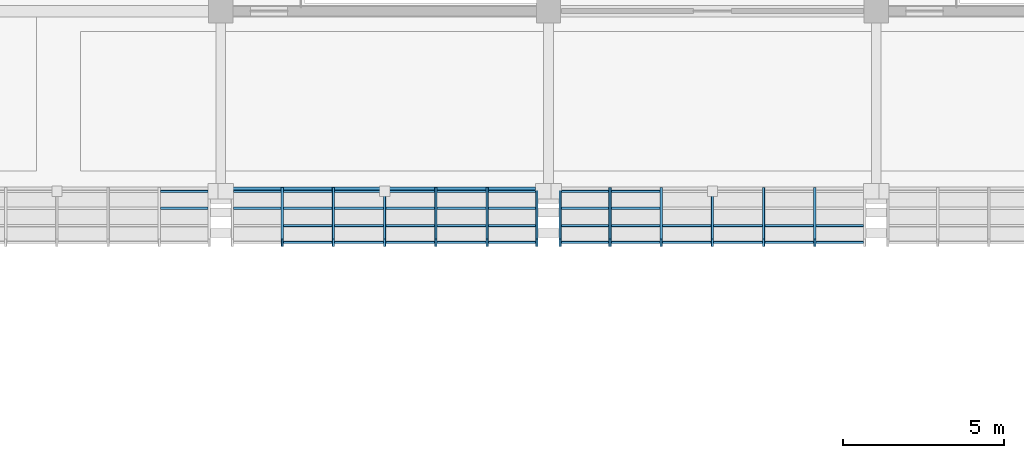
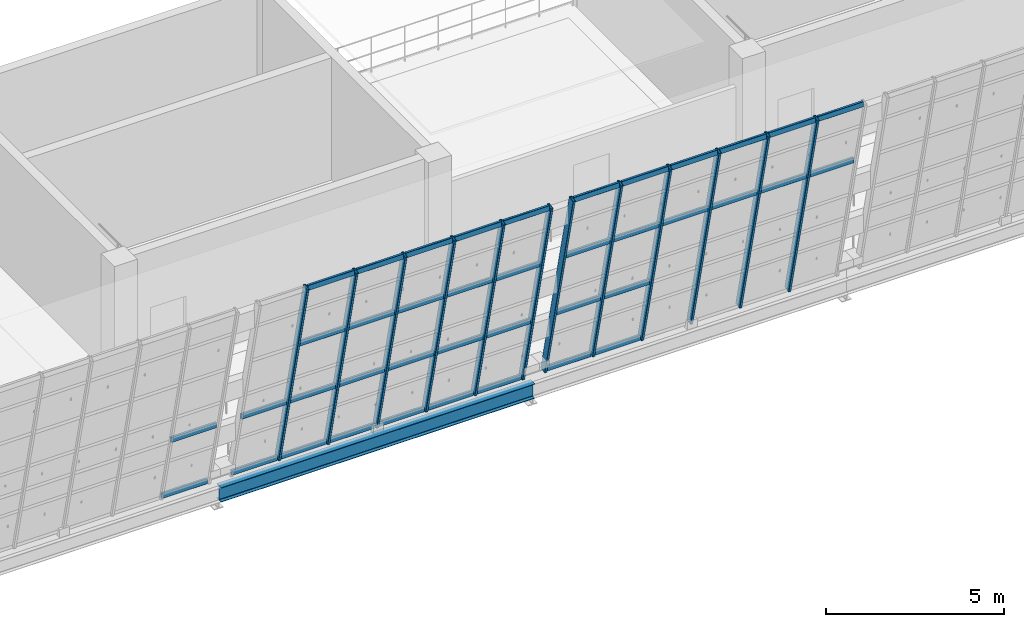
# One storey, part 24 of 157: 52 members, 1 beam, 3 elements without a shape of their own.
"""IFC4 building model written with IfcOpenShell, lengths in metres."""

from ifc_helpers import new_model, si_unit, direction, frame, origin, origin_2d, place, context, subcontext, project, spatial, hollow_rectangle, i_section, extrude, material, material_profile, profile_set, type_object, element, aggregate, save


model = new_model("IFC4")

# Units and contexts
model_context = context("Model", 3, precision=1e-05, world=origin(), true_north=direction((0.0, 1.0)))
body_context = subcontext(model_context, "Body", "Model", "MODEL_VIEW")
ifc_project = project(units=[si_unit("LENGTHUNIT", "METRE"), si_unit("AREAUNIT", "SQUARE_METRE"), si_unit("VOLUMEUNIT", "CUBIC_METRE"), si_unit("PLANEANGLEUNIT", "RADIAN"), si_unit("MASSUNIT", "GRAM", prefix="KILO")], contexts=[model_context])

# Site, building, storey
site_placement = place(None, origin())
site = spatial("IfcSite", under=ifc_project, at=site_placement, CompositionType="ELEMENT")
building_placement = place(site_placement, origin())
building = spatial("IfcBuilding", under=site, at=building_placement, Name="Brelvane Convention Centre", CompositionType="ELEMENT")
storey_placement = place(building_placement, frame((0.0, 0.0, 10.800048828125)))
storey = spatial("IfcBuildingStorey", under=building, at=storey_placement, Name="L02", CompositionType="ELEMENT", Elevation=10.800048828125)

# Curtain wall, members
ifc_material_1 = material(Name="Anodised Aluminium Alloy 6063-T6", Category="aluminium")
curtain_wall_type = type_object("IfcCurtainWallType", Name="Curtain Wall CW-HULL-S", PredefinedType="USERDEFINED", material=ifc_material_1)
curtain_wall_1_placement = place(storey_placement, origin())
curtain_wall_1 = element("IfcCurtainWall", 1, at=curtain_wall_1_placement, inside=storey, type_object=curtain_wall_type, Name="Curtain Wall CW-HULL-S L02-HULL-S-L02-04", ObjectType="UNITISED", PredefinedType="USERDEFINED")
ifc_material_2 = material(Name="Anodised Aluminium Alloy 6063-T6", Category="aluminium")
ifc_material_profile_1 = material_profile(ifc_material_2, hollow_rectangle(XDim=0.080078125, YDim=0.239990234375, WallThickness=0.006103515625, InnerFilletRadius=0.006103515625, OuterFilletRadius=0.011962890625, at=origin_2d()), Name="ALU-M 240x80x6.0")
ifc_profile_set_1 = profile_set([ifc_material_profile_1], Name="Anodised Aluminium Alloy 6063-T6")
member_type_1 = type_object("IfcMemberType", Name="Curtain Mullion CW-M1", PredefinedType="MULLION", material=ifc_profile_set_1)
member_1_placement = place(storey_placement, frame((32.513427734375, 13.60009765625, 0.0), z_axis=(0.0, -0.228360410362, 0.973576665178), x_axis=(1.0, 0.0, 0.0)))
member_1 = element("IfcMember", 2, at=member_1_placement, type_object=member_type_1, Name="CW-HULL-S mullion 2", PredefinedType="MULLION", context=body_context, shape_type="SweptSolid", body=[
    extrude(hollow_rectangle(XDim=0.080078125, YDim=0.239990234375, WallThickness=0.006103515625, InnerFilletRadius=0.006103515625, OuterFilletRadius=0.011962890625, at=origin_2d()), origin(), (0.0, 0.0, 1.0), 7.03564453125),
])
member_2_placement = place(storey_placement, frame((34.106689453125, 13.60009765625, 0.0), z_axis=(0.0, -0.228360410362, 0.973576665178), x_axis=(1.0, 0.0, 0.0)))
member_2 = element("IfcMember", 3, at=member_2_placement, type_object=member_type_1, Name="CW-HULL-S mullion 3", PredefinedType="MULLION", context=body_context, shape_type="SweptSolid", body=[
    extrude(hollow_rectangle(XDim=0.080078125, YDim=0.239990234375, WallThickness=0.006103515625, InnerFilletRadius=0.006103515625, OuterFilletRadius=0.011962890625, at=origin_2d()), origin(), (0.0, 0.0, 1.0), 7.03564453125),
])
member_3_placement = place(storey_placement, frame((35.699951171875, 13.60009765625, 0.0), z_axis=(0.0, -0.228360410362, 0.973576665178), x_axis=(1.0, 0.0, 0.0)))
member_3 = element("IfcMember", 4, at=member_3_placement, type_object=member_type_1, Name="CW-HULL-S mullion 4", PredefinedType="MULLION", context=body_context, shape_type="SweptSolid", body=[
    extrude(hollow_rectangle(XDim=0.080078125, YDim=0.239990234375, WallThickness=0.006103515625, InnerFilletRadius=0.006103515625, OuterFilletRadius=0.011962890625, at=origin_2d()), origin(), (0.0, 0.0, 1.0), 7.03564453125),
])
member_4_placement = place(storey_placement, frame((37.293212890625, 13.60009765625, 0.0), z_axis=(0.0, -0.228360410362, 0.973576665178), x_axis=(1.0, 0.0, 0.0)))
member_4 = element("IfcMember", 5, at=member_4_placement, type_object=member_type_1, Name="CW-HULL-S mullion 5", PredefinedType="MULLION", context=body_context, shape_type="SweptSolid", body=[
    extrude(hollow_rectangle(XDim=0.080078125, YDim=0.239990234375, WallThickness=0.006103515625, InnerFilletRadius=0.006103515625, OuterFilletRadius=0.011962890625, at=origin_2d()), origin(), (0.0, 0.0, 1.0), 7.03564453125),
])
member_5_placement = place(storey_placement, frame((38.88671875, 13.60009765625, 0.0), z_axis=(0.0, -0.228360410362, 0.973576665178), x_axis=(1.0, 0.0, 0.0)))
member_5 = element("IfcMember", 6, at=member_5_placement, type_object=member_type_1, Name="CW-HULL-S mullion 6", PredefinedType="MULLION", context=body_context, shape_type="SweptSolid", body=[
    extrude(hollow_rectangle(XDim=0.080078125, YDim=0.239990234375, WallThickness=0.006103515625, InnerFilletRadius=0.006103515625, OuterFilletRadius=0.011962890625, at=origin_2d()), origin(), (0.0, 0.0, 1.0), 7.03564453125),
])
member_6_placement = place(storey_placement, frame((40.43994140625, 13.60009765625, 0.0), z_axis=(0.0, -0.228360410362, 0.973576665178), x_axis=(1.0, 0.0, 0.0)))
member_6 = element("IfcMember", 7, at=member_6_placement, type_object=member_type_1, Name="CW-HULL-S mullion 7", PredefinedType="MULLION", context=body_context, shape_type="SweptSolid", body=[
    extrude(hollow_rectangle(XDim=0.080078125, YDim=0.239990234375, WallThickness=0.006103515625, InnerFilletRadius=0.006103515625, OuterFilletRadius=0.011962890625, at=origin_2d()), origin(), (0.0, 0.0, 1.0), 7.03564453125),
])

curtain_wall_2_placement = place(storey_placement, origin())
curtain_wall_2 = element("IfcCurtainWall", 8, at=curtain_wall_2_placement, inside=storey, type_object=curtain_wall_type, Name="Curtain Wall CW-HULL-S L02-HULL-S-L02-05", ObjectType="UNITISED", PredefinedType="USERDEFINED")
member_7_placement = place(storey_placement, frame((41.159912109375, 13.60009765625, 0.0), z_axis=(0.0, -0.228360410362, 0.973576665178), x_axis=(1.0, 0.0, 0.0)))
member_7 = element("IfcMember", 9, at=member_7_placement, type_object=member_type_1, Name="CW-HULL-S mullion 1", PredefinedType="MULLION", context=body_context, shape_type="SweptSolid", body=[
    extrude(hollow_rectangle(XDim=0.080078125, YDim=0.239990234375, WallThickness=0.006103515625, InnerFilletRadius=0.006103515625, OuterFilletRadius=0.011962890625, at=origin_2d()), origin(), (0.0, 0.0, 1.0), 7.03564453125),
])
member_8_placement = place(storey_placement, frame((42.71337890625, 13.60009765625, 0.0), z_axis=(0.0, -0.228360410362, 0.973576665178), x_axis=(1.0, 0.0, 0.0)))
member_8 = element("IfcMember", 10, at=member_8_placement, type_object=member_type_1, Name="CW-HULL-S mullion 2", PredefinedType="MULLION", context=body_context, shape_type="SweptSolid", body=[
    extrude(hollow_rectangle(XDim=0.080078125, YDim=0.239990234375, WallThickness=0.006103515625, InnerFilletRadius=0.006103515625, OuterFilletRadius=0.011962890625, at=origin_2d()), origin(), (0.0, 0.0, 1.0), 7.03564453125),
])
member_9_placement = place(storey_placement, frame((44.306640625, 13.60009765625, 0.0), z_axis=(0.0, -0.228360410362, 0.973576665178), x_axis=(1.0, 0.0, 0.0)))
member_9 = element("IfcMember", 11, at=member_9_placement, type_object=member_type_1, Name="CW-HULL-S mullion 3", PredefinedType="MULLION", context=body_context, shape_type="SweptSolid", body=[
    extrude(hollow_rectangle(XDim=0.080078125, YDim=0.239990234375, WallThickness=0.006103515625, InnerFilletRadius=0.006103515625, OuterFilletRadius=0.011962890625, at=origin_2d()), origin(), (0.0, 0.0, 1.0), 7.03564453125),
])
member_10_placement = place(storey_placement, frame((45.89990234375, 13.60009765625, 0.0), z_axis=(0.0, -0.228360410362, 0.973576665178), x_axis=(1.0, 0.0, 0.0)))
member_10 = element("IfcMember", 12, at=member_10_placement, type_object=member_type_1, Name="CW-HULL-S mullion 4", PredefinedType="MULLION", context=body_context, shape_type="SweptSolid", body=[
    extrude(hollow_rectangle(XDim=0.080078125, YDim=0.239990234375, WallThickness=0.006103515625, InnerFilletRadius=0.006103515625, OuterFilletRadius=0.011962890625, at=origin_2d()), origin(), (0.0, 0.0, 1.0), 7.03564453125),
])
member_11_placement = place(storey_placement, frame((47.493408203125, 13.60009765625, 0.0), z_axis=(0.0, -0.228360410362, 0.973576665178), x_axis=(1.0, 0.0, 0.0)))
member_11 = element("IfcMember", 13, at=member_11_placement, type_object=member_type_1, Name="CW-HULL-S mullion 5", PredefinedType="MULLION", context=body_context, shape_type="SweptSolid", body=[
    extrude(hollow_rectangle(XDim=0.080078125, YDim=0.239990234375, WallThickness=0.006103515625, InnerFilletRadius=0.006103515625, OuterFilletRadius=0.011962890625, at=origin_2d()), origin(), (0.0, 0.0, 1.0), 7.03564453125),
])
member_12_placement = place(storey_placement, frame((49.086669921875, 13.60009765625, 0.0), z_axis=(0.0, -0.228360410362, 0.973576665178), x_axis=(1.0, 0.0, 0.0)))
member_12 = element("IfcMember", 14, at=member_12_placement, type_object=member_type_1, Name="CW-HULL-S mullion 6", PredefinedType="MULLION", context=body_context, shape_type="SweptSolid", body=[
    extrude(hollow_rectangle(XDim=0.080078125, YDim=0.239990234375, WallThickness=0.006103515625, InnerFilletRadius=0.006103515625, OuterFilletRadius=0.011962890625, at=origin_2d()), origin(), (0.0, 0.0, 1.0), 7.03564453125),
])

curtain_wall_3_placement = place(storey_placement, origin())
curtain_wall_3 = element("IfcCurtainWall", 15, at=curtain_wall_3_placement, inside=storey, type_object=curtain_wall_type, Name="Curtain Wall CW-HULL-S L02-HULL-S-L02-03", ObjectType="UNITISED", PredefinedType="USERDEFINED")
ifc_material_3 = material(Name="Anodised Aluminium Alloy 6063-T6", Category="aluminium")
ifc_material_profile_2 = material_profile(ifc_material_3, hollow_rectangle(XDim=0.080078125, YDim=0.179931640625, WallThickness=0.0048828125, InnerFilletRadius=0.0048828125, OuterFilletRadius=0.010009765625, at=origin_2d()), Name="ALU-T 180x80x5.0")
ifc_profile_set_2 = profile_set([ifc_material_profile_2], Name="Anodised Aluminium Alloy 6063-T6")
member_type_2 = type_object("IfcMemberType", Name="Curtain Transom CW-T1", PredefinedType="USERDEFINED", material=ifc_profile_set_2)
member_13_placement = place(storey_placement, frame((28.7265625, 13.590576171875, 0.0400390625), z_axis=(1.0, 0.0, 0.0), x_axis=(0.0, 1.0, 0.0)))
member_13 = element("IfcMember", 16, at=member_13_placement, type_object=member_type_2, Name="CW-HULL-S transom 6.1", ObjectType="TRANSOM", PredefinedType="USERDEFINED", context=body_context, shape_type="SweptSolid", body=[
    extrude(hollow_rectangle(XDim=0.080078125, YDim=0.179931640625, WallThickness=0.0048828125, InnerFilletRadius=0.0048828125, OuterFilletRadius=0.010009765625, at=origin_2d()), origin(), (0.0, 0.0, 1.0), 1.473388671875),
])
member_14_placement = place(storey_placement, frame((28.7265625, 13.064453125, 2.283203125), z_axis=(1.0, 0.0, 0.0), x_axis=(0.0, 1.0, 0.0)))
member_14 = element("IfcMember", 17, at=member_14_placement, type_object=member_type_2, Name="CW-HULL-S transom 6.2", ObjectType="TRANSOM", PredefinedType="USERDEFINED", context=body_context, shape_type="SweptSolid", body=[
    extrude(hollow_rectangle(XDim=0.080078125, YDim=0.179931640625, WallThickness=0.0048828125, InnerFilletRadius=0.0048828125, OuterFilletRadius=0.010009765625, at=origin_2d()), origin(), (0.0, 0.0, 1.0), 1.473388671875),
])
aggregate(curtain_wall_3, [member_13, member_14])

# Member
member_15_placement = place(storey_placement, frame((31.0, 13.590576171875, 0.0400390625), z_axis=(1.0, 0.0, 0.0), x_axis=(0.0, 1.0, 0.0)))
member_15 = element("IfcMember", 18, at=member_15_placement, type_object=member_type_2, Name="CW-HULL-S transom 1.1", ObjectType="TRANSOM", PredefinedType="USERDEFINED", context=body_context, shape_type="SweptSolid", body=[
    extrude(hollow_rectangle(XDim=0.080078125, YDim=0.179931640625, WallThickness=0.0048828125, InnerFilletRadius=0.0048828125, OuterFilletRadius=0.010009765625, at=origin_2d()), origin(), (0.0, 0.0, 1.0), 1.473388671875),
])

member_16_placement = place(storey_placement, frame((31.0, 13.064453125, 2.283203125), z_axis=(1.0, 0.0, 0.0), x_axis=(0.0, 1.0, 0.0)))
member_16 = element("IfcMember", 19, at=member_16_placement, type_object=member_type_2, Name="CW-HULL-S transom 1.2", ObjectType="TRANSOM", PredefinedType="USERDEFINED", context=body_context, shape_type="SweptSolid", body=[
    extrude(hollow_rectangle(XDim=0.080078125, YDim=0.179931640625, WallThickness=0.0048828125, InnerFilletRadius=0.0048828125, OuterFilletRadius=0.010009765625, at=origin_2d()), origin(), (0.0, 0.0, 1.0), 1.473388671875),
])

member_17_placement = place(storey_placement, frame((32.55322265625, 13.590576171875, 0.0400390625), z_axis=(1.0, 0.0, 0.0), x_axis=(0.0, 1.0, 0.0)))
member_17 = element("IfcMember", 20, at=member_17_placement, type_object=member_type_2, Name="CW-HULL-S transom 2.1", ObjectType="TRANSOM", PredefinedType="USERDEFINED", context=body_context, shape_type="SweptSolid", body=[
    extrude(hollow_rectangle(XDim=0.080078125, YDim=0.179931640625, WallThickness=0.0048828125, InnerFilletRadius=0.0048828125, OuterFilletRadius=0.010009765625, at=origin_2d()), origin(), (0.0, 0.0, 1.0), 1.513427734375),
])

member_18_placement = place(storey_placement, frame((32.55322265625, 13.064453125, 2.283203125), z_axis=(1.0, 0.0, 0.0), x_axis=(0.0, 1.0, 0.0)))
member_18 = element("IfcMember", 21, at=member_18_placement, type_object=member_type_2, Name="CW-HULL-S transom 2.2", ObjectType="TRANSOM", PredefinedType="USERDEFINED", context=body_context, shape_type="SweptSolid", body=[
    extrude(hollow_rectangle(XDim=0.080078125, YDim=0.179931640625, WallThickness=0.0048828125, InnerFilletRadius=0.0048828125, OuterFilletRadius=0.010009765625, at=origin_2d()), origin(), (0.0, 0.0, 1.0), 1.513427734375),
])

member_19_placement = place(storey_placement, frame((32.55322265625, 12.52880859375, 4.566650390625), z_axis=(1.0, 0.0, 0.0), x_axis=(0.0, 1.0, 0.0)))
member_19 = element("IfcMember", 22, at=member_19_placement, type_object=member_type_2, Name="CW-HULL-S transom 2.3", ObjectType="TRANSOM", PredefinedType="USERDEFINED", context=body_context, shape_type="SweptSolid", body=[
    extrude(hollow_rectangle(XDim=0.080078125, YDim=0.179931640625, WallThickness=0.0048828125, InnerFilletRadius=0.0048828125, OuterFilletRadius=0.010009765625, at=origin_2d()), origin(), (0.0, 0.0, 1.0), 1.513427734375),
])

member_20_placement = place(storey_placement, frame((32.55322265625, 12.002685546875, 6.81005859375), z_axis=(1.0, 0.0, 0.0), x_axis=(0.0, 1.0, 0.0)))
member_20 = element("IfcMember", 23, at=member_20_placement, type_object=member_type_2, Name="CW-HULL-S transom 2.4", ObjectType="TRANSOM", PredefinedType="USERDEFINED", context=body_context, shape_type="SweptSolid", body=[
    extrude(hollow_rectangle(XDim=0.080078125, YDim=0.179931640625, WallThickness=0.0048828125, InnerFilletRadius=0.0048828125, OuterFilletRadius=0.010009765625, at=origin_2d()), origin(), (0.0, 0.0, 1.0), 1.513427734375),
])

member_21_placement = place(storey_placement, frame((34.146728515625, 13.590576171875, 0.0400390625), z_axis=(1.0, 0.0, 0.0), x_axis=(0.0, 1.0, 0.0)))
member_21 = element("IfcMember", 24, at=member_21_placement, type_object=member_type_2, Name="CW-HULL-S transom 3.1", ObjectType="TRANSOM", PredefinedType="USERDEFINED", context=body_context, shape_type="SweptSolid", body=[
    extrude(hollow_rectangle(XDim=0.080078125, YDim=0.179931640625, WallThickness=0.0048828125, InnerFilletRadius=0.0048828125, OuterFilletRadius=0.010009765625, at=origin_2d()), origin(), (0.0, 0.0, 1.0), 1.51318359375),
])

member_22_placement = place(storey_placement, frame((34.146728515625, 13.064453125, 2.283203125), z_axis=(1.0, 0.0, 0.0), x_axis=(0.0, 1.0, 0.0)))
member_22 = element("IfcMember", 25, at=member_22_placement, type_object=member_type_2, Name="CW-HULL-S transom 3.2", ObjectType="TRANSOM", PredefinedType="USERDEFINED", context=body_context, shape_type="SweptSolid", body=[
    extrude(hollow_rectangle(XDim=0.080078125, YDim=0.179931640625, WallThickness=0.0048828125, InnerFilletRadius=0.0048828125, OuterFilletRadius=0.010009765625, at=origin_2d()), origin(), (0.0, 0.0, 1.0), 1.51318359375),
])

member_23_placement = place(storey_placement, frame((34.146728515625, 12.52880859375, 4.566650390625), z_axis=(1.0, 0.0, 0.0), x_axis=(0.0, 1.0, 0.0)))
member_23 = element("IfcMember", 26, at=member_23_placement, type_object=member_type_2, Name="CW-HULL-S transom 3.3", ObjectType="TRANSOM", PredefinedType="USERDEFINED", context=body_context, shape_type="SweptSolid", body=[
    extrude(hollow_rectangle(XDim=0.080078125, YDim=0.179931640625, WallThickness=0.0048828125, InnerFilletRadius=0.0048828125, OuterFilletRadius=0.010009765625, at=origin_2d()), origin(), (0.0, 0.0, 1.0), 1.51318359375),
])

member_24_placement = place(storey_placement, frame((34.146728515625, 12.002685546875, 6.81005859375), z_axis=(1.0, 0.0, 0.0), x_axis=(0.0, 1.0, 0.0)))
member_24 = element("IfcMember", 27, at=member_24_placement, type_object=member_type_2, Name="CW-HULL-S transom 3.4", ObjectType="TRANSOM", PredefinedType="USERDEFINED", context=body_context, shape_type="SweptSolid", body=[
    extrude(hollow_rectangle(XDim=0.080078125, YDim=0.179931640625, WallThickness=0.0048828125, InnerFilletRadius=0.0048828125, OuterFilletRadius=0.010009765625, at=origin_2d()), origin(), (0.0, 0.0, 1.0), 1.51318359375),
])

member_25_placement = place(storey_placement, frame((35.739990234375, 13.590576171875, 0.0400390625), z_axis=(1.0, 0.0, 0.0), x_axis=(0.0, 1.0, 0.0)))
member_25 = element("IfcMember", 28, at=member_25_placement, type_object=member_type_2, Name="CW-HULL-S transom 4.1", ObjectType="TRANSOM", PredefinedType="USERDEFINED", context=body_context, shape_type="SweptSolid", body=[
    extrude(hollow_rectangle(XDim=0.080078125, YDim=0.179931640625, WallThickness=0.0048828125, InnerFilletRadius=0.0048828125, OuterFilletRadius=0.010009765625, at=origin_2d()), origin(), (0.0, 0.0, 1.0), 1.513427734375),
])

member_26_placement = place(storey_placement, frame((35.739990234375, 13.064453125, 2.283203125), z_axis=(1.0, 0.0, 0.0), x_axis=(0.0, 1.0, 0.0)))
member_26 = element("IfcMember", 29, at=member_26_placement, type_object=member_type_2, Name="CW-HULL-S transom 4.2", ObjectType="TRANSOM", PredefinedType="USERDEFINED", context=body_context, shape_type="SweptSolid", body=[
    extrude(hollow_rectangle(XDim=0.080078125, YDim=0.179931640625, WallThickness=0.0048828125, InnerFilletRadius=0.0048828125, OuterFilletRadius=0.010009765625, at=origin_2d()), origin(), (0.0, 0.0, 1.0), 1.513427734375),
])

member_27_placement = place(storey_placement, frame((35.739990234375, 12.52880859375, 4.566650390625), z_axis=(1.0, 0.0, 0.0), x_axis=(0.0, 1.0, 0.0)))
member_27 = element("IfcMember", 30, at=member_27_placement, type_object=member_type_2, Name="CW-HULL-S transom 4.3", ObjectType="TRANSOM", PredefinedType="USERDEFINED", context=body_context, shape_type="SweptSolid", body=[
    extrude(hollow_rectangle(XDim=0.080078125, YDim=0.179931640625, WallThickness=0.0048828125, InnerFilletRadius=0.0048828125, OuterFilletRadius=0.010009765625, at=origin_2d()), origin(), (0.0, 0.0, 1.0), 1.513427734375),
])

member_28_placement = place(storey_placement, frame((35.739990234375, 12.002685546875, 6.81005859375), z_axis=(1.0, 0.0, 0.0), x_axis=(0.0, 1.0, 0.0)))
member_28 = element("IfcMember", 31, at=member_28_placement, type_object=member_type_2, Name="CW-HULL-S transom 4.4", ObjectType="TRANSOM", PredefinedType="USERDEFINED", context=body_context, shape_type="SweptSolid", body=[
    extrude(hollow_rectangle(XDim=0.080078125, YDim=0.179931640625, WallThickness=0.0048828125, InnerFilletRadius=0.0048828125, OuterFilletRadius=0.010009765625, at=origin_2d()), origin(), (0.0, 0.0, 1.0), 1.513427734375),
])

member_29_placement = place(storey_placement, frame((37.333251953125, 13.590576171875, 0.0400390625), z_axis=(1.0, 0.0, 0.0), x_axis=(0.0, 1.0, 0.0)))
member_29 = element("IfcMember", 32, at=member_29_placement, type_object=member_type_2, Name="CW-HULL-S transom 5.1", ObjectType="TRANSOM", PredefinedType="USERDEFINED", context=body_context, shape_type="SweptSolid", body=[
    extrude(hollow_rectangle(XDim=0.080078125, YDim=0.179931640625, WallThickness=0.0048828125, InnerFilletRadius=0.0048828125, OuterFilletRadius=0.010009765625, at=origin_2d()), origin(), (0.0, 0.0, 1.0), 1.513427734375),
])

member_30_placement = place(storey_placement, frame((37.333251953125, 13.064453125, 2.283203125), z_axis=(1.0, 0.0, 0.0), x_axis=(0.0, 1.0, 0.0)))
member_30 = element("IfcMember", 33, at=member_30_placement, type_object=member_type_2, Name="CW-HULL-S transom 5.2", ObjectType="TRANSOM", PredefinedType="USERDEFINED", context=body_context, shape_type="SweptSolid", body=[
    extrude(hollow_rectangle(XDim=0.080078125, YDim=0.179931640625, WallThickness=0.0048828125, InnerFilletRadius=0.0048828125, OuterFilletRadius=0.010009765625, at=origin_2d()), origin(), (0.0, 0.0, 1.0), 1.513427734375),
])

member_31_placement = place(storey_placement, frame((37.333251953125, 12.52880859375, 4.566650390625), z_axis=(1.0, 0.0, 0.0), x_axis=(0.0, 1.0, 0.0)))
member_31 = element("IfcMember", 34, at=member_31_placement, type_object=member_type_2, Name="CW-HULL-S transom 5.3", ObjectType="TRANSOM", PredefinedType="USERDEFINED", context=body_context, shape_type="SweptSolid", body=[
    extrude(hollow_rectangle(XDim=0.080078125, YDim=0.179931640625, WallThickness=0.0048828125, InnerFilletRadius=0.0048828125, OuterFilletRadius=0.010009765625, at=origin_2d()), origin(), (0.0, 0.0, 1.0), 1.513427734375),
])

member_32_placement = place(storey_placement, frame((37.333251953125, 12.002685546875, 6.81005859375), z_axis=(1.0, 0.0, 0.0), x_axis=(0.0, 1.0, 0.0)))
member_32 = element("IfcMember", 35, at=member_32_placement, type_object=member_type_2, Name="CW-HULL-S transom 5.4", ObjectType="TRANSOM", PredefinedType="USERDEFINED", context=body_context, shape_type="SweptSolid", body=[
    extrude(hollow_rectangle(XDim=0.080078125, YDim=0.179931640625, WallThickness=0.0048828125, InnerFilletRadius=0.0048828125, OuterFilletRadius=0.010009765625, at=origin_2d()), origin(), (0.0, 0.0, 1.0), 1.513427734375),
])

member_33_placement = place(storey_placement, frame((38.9267578125, 13.590576171875, 0.0400390625), z_axis=(1.0, 0.0, 0.0), x_axis=(0.0, 1.0, 0.0)))
member_33 = element("IfcMember", 36, at=member_33_placement, type_object=member_type_2, Name="CW-HULL-S transom 6.1", ObjectType="TRANSOM", PredefinedType="USERDEFINED", context=body_context, shape_type="SweptSolid", body=[
    extrude(hollow_rectangle(XDim=0.080078125, YDim=0.179931640625, WallThickness=0.0048828125, InnerFilletRadius=0.0048828125, OuterFilletRadius=0.010009765625, at=origin_2d()), origin(), (0.0, 0.0, 1.0), 1.47314453125),
])

member_34_placement = place(storey_placement, frame((38.9267578125, 13.064453125, 2.283203125), z_axis=(1.0, 0.0, 0.0), x_axis=(0.0, 1.0, 0.0)))
member_34 = element("IfcMember", 37, at=member_34_placement, type_object=member_type_2, Name="CW-HULL-S transom 6.2", ObjectType="TRANSOM", PredefinedType="USERDEFINED", context=body_context, shape_type="SweptSolid", body=[
    extrude(hollow_rectangle(XDim=0.080078125, YDim=0.179931640625, WallThickness=0.0048828125, InnerFilletRadius=0.0048828125, OuterFilletRadius=0.010009765625, at=origin_2d()), origin(), (0.0, 0.0, 1.0), 1.47314453125),
])

member_35_placement = place(storey_placement, frame((38.9267578125, 12.52880859375, 4.566650390625), z_axis=(1.0, 0.0, 0.0), x_axis=(0.0, 1.0, 0.0)))
member_35 = element("IfcMember", 38, at=member_35_placement, type_object=member_type_2, Name="CW-HULL-S transom 6.3", ObjectType="TRANSOM", PredefinedType="USERDEFINED", context=body_context, shape_type="SweptSolid", body=[
    extrude(hollow_rectangle(XDim=0.080078125, YDim=0.179931640625, WallThickness=0.0048828125, InnerFilletRadius=0.0048828125, OuterFilletRadius=0.010009765625, at=origin_2d()), origin(), (0.0, 0.0, 1.0), 1.47314453125),
])

member_36_placement = place(storey_placement, frame((38.9267578125, 12.002685546875, 6.81005859375), z_axis=(1.0, 0.0, 0.0), x_axis=(0.0, 1.0, 0.0)))
member_36 = element("IfcMember", 39, at=member_36_placement, type_object=member_type_2, Name="CW-HULL-S transom 6.4", ObjectType="TRANSOM", PredefinedType="USERDEFINED", context=body_context, shape_type="SweptSolid", body=[
    extrude(hollow_rectangle(XDim=0.080078125, YDim=0.179931640625, WallThickness=0.0048828125, InnerFilletRadius=0.0048828125, OuterFilletRadius=0.010009765625, at=origin_2d()), origin(), (0.0, 0.0, 1.0), 1.47314453125),
])

aggregate(curtain_wall_1, [member_1, member_2, member_3, member_4, member_5, member_6, member_15, member_16, member_17, member_18, member_19, member_20, member_21, member_22, member_23, member_24, member_25, member_26, member_27, member_28, member_29, member_30, member_31, member_32, member_33, member_34, member_35, member_36])

member_37_placement = place(storey_placement, frame((41.199951171875, 13.590576171875, 0.0400390625), z_axis=(1.0, 0.0, 0.0), x_axis=(0.0, 1.0, 0.0)))
member_37 = element("IfcMember", 40, at=member_37_placement, type_object=member_type_2, Name="CW-HULL-S transom 1.1", ObjectType="TRANSOM", PredefinedType="USERDEFINED", context=body_context, shape_type="SweptSolid", body=[
    extrude(hollow_rectangle(XDim=0.080078125, YDim=0.179931640625, WallThickness=0.0048828125, InnerFilletRadius=0.0048828125, OuterFilletRadius=0.010009765625, at=origin_2d()), origin(), (0.0, 0.0, 1.0), 1.473388671875),
])

member_38_placement = place(storey_placement, frame((41.199951171875, 13.064453125, 2.283203125), z_axis=(1.0, 0.0, 0.0), x_axis=(0.0, 1.0, 0.0)))
member_38 = element("IfcMember", 41, at=member_38_placement, type_object=member_type_2, Name="CW-HULL-S transom 1.2", ObjectType="TRANSOM", PredefinedType="USERDEFINED", context=body_context, shape_type="SweptSolid", body=[
    extrude(hollow_rectangle(XDim=0.080078125, YDim=0.179931640625, WallThickness=0.0048828125, InnerFilletRadius=0.0048828125, OuterFilletRadius=0.010009765625, at=origin_2d()), origin(), (0.0, 0.0, 1.0), 1.473388671875),
])

member_39_placement = place(storey_placement, frame((41.199951171875, 12.52880859375, 4.566650390625), z_axis=(1.0, 0.0, 0.0), x_axis=(0.0, 1.0, 0.0)))
member_39 = element("IfcMember", 42, at=member_39_placement, type_object=member_type_2, Name="CW-HULL-S transom 1.3", ObjectType="TRANSOM", PredefinedType="USERDEFINED", context=body_context, shape_type="SweptSolid", body=[
    extrude(hollow_rectangle(XDim=0.080078125, YDim=0.179931640625, WallThickness=0.0048828125, InnerFilletRadius=0.0048828125, OuterFilletRadius=0.010009765625, at=origin_2d()), origin(), (0.0, 0.0, 1.0), 1.473388671875),
])

member_40_placement = place(storey_placement, frame((41.199951171875, 12.002685546875, 6.81005859375), z_axis=(1.0, 0.0, 0.0), x_axis=(0.0, 1.0, 0.0)))
member_40 = element("IfcMember", 43, at=member_40_placement, type_object=member_type_2, Name="CW-HULL-S transom 1.4", ObjectType="TRANSOM", PredefinedType="USERDEFINED", context=body_context, shape_type="SweptSolid", body=[
    extrude(hollow_rectangle(XDim=0.080078125, YDim=0.179931640625, WallThickness=0.0048828125, InnerFilletRadius=0.0048828125, OuterFilletRadius=0.010009765625, at=origin_2d()), origin(), (0.0, 0.0, 1.0), 1.473388671875),
])

member_41_placement = place(storey_placement, frame((42.75341796875, 13.590576171875, 0.0400390625), z_axis=(1.0, 0.0, 0.0), x_axis=(0.0, 1.0, 0.0)))
member_41 = element("IfcMember", 44, at=member_41_placement, type_object=member_type_2, Name="CW-HULL-S transom 2.1", ObjectType="TRANSOM", PredefinedType="USERDEFINED", context=body_context, shape_type="SweptSolid", body=[
    extrude(hollow_rectangle(XDim=0.080078125, YDim=0.179931640625, WallThickness=0.0048828125, InnerFilletRadius=0.0048828125, OuterFilletRadius=0.010009765625, at=origin_2d()), origin(), (0.0, 0.0, 1.0), 1.51318359375),
])

member_42_placement = place(storey_placement, frame((42.75341796875, 13.064453125, 2.283203125), z_axis=(1.0, 0.0, 0.0), x_axis=(0.0, 1.0, 0.0)))
member_42 = element("IfcMember", 45, at=member_42_placement, type_object=member_type_2, Name="CW-HULL-S transom 2.2", ObjectType="TRANSOM", PredefinedType="USERDEFINED", context=body_context, shape_type="SweptSolid", body=[
    extrude(hollow_rectangle(XDim=0.080078125, YDim=0.179931640625, WallThickness=0.0048828125, InnerFilletRadius=0.0048828125, OuterFilletRadius=0.010009765625, at=origin_2d()), origin(), (0.0, 0.0, 1.0), 1.51318359375),
])

member_43_placement = place(storey_placement, frame((42.75341796875, 12.52880859375, 4.566650390625), z_axis=(1.0, 0.0, 0.0), x_axis=(0.0, 1.0, 0.0)))
member_43 = element("IfcMember", 46, at=member_43_placement, type_object=member_type_2, Name="CW-HULL-S transom 2.3", ObjectType="TRANSOM", PredefinedType="USERDEFINED", context=body_context, shape_type="SweptSolid", body=[
    extrude(hollow_rectangle(XDim=0.080078125, YDim=0.179931640625, WallThickness=0.0048828125, InnerFilletRadius=0.0048828125, OuterFilletRadius=0.010009765625, at=origin_2d()), origin(), (0.0, 0.0, 1.0), 1.51318359375),
])

member_44_placement = place(storey_placement, frame((42.75341796875, 12.002685546875, 6.81005859375), z_axis=(1.0, 0.0, 0.0), x_axis=(0.0, 1.0, 0.0)))
member_44 = element("IfcMember", 47, at=member_44_placement, type_object=member_type_2, Name="CW-HULL-S transom 2.4", ObjectType="TRANSOM", PredefinedType="USERDEFINED", context=body_context, shape_type="SweptSolid", body=[
    extrude(hollow_rectangle(XDim=0.080078125, YDim=0.179931640625, WallThickness=0.0048828125, InnerFilletRadius=0.0048828125, OuterFilletRadius=0.010009765625, at=origin_2d()), origin(), (0.0, 0.0, 1.0), 1.51318359375),
])

member_45_placement = place(storey_placement, frame((44.3466796875, 12.52880859375, 4.566650390625), z_axis=(1.0, 0.0, 0.0), x_axis=(0.0, 1.0, 0.0)))
member_45 = element("IfcMember", 48, at=member_45_placement, type_object=member_type_2, Name="CW-HULL-S transom 3.3", ObjectType="TRANSOM", PredefinedType="USERDEFINED", context=body_context, shape_type="SweptSolid", body=[
    extrude(hollow_rectangle(XDim=0.080078125, YDim=0.179931640625, WallThickness=0.0048828125, InnerFilletRadius=0.0048828125, OuterFilletRadius=0.010009765625, at=origin_2d()), origin(), (0.0, 0.0, 1.0), 1.513427734375),
])

member_46_placement = place(storey_placement, frame((44.3466796875, 12.002685546875, 6.81005859375), z_axis=(1.0, 0.0, 0.0), x_axis=(0.0, 1.0, 0.0)))
member_46 = element("IfcMember", 49, at=member_46_placement, type_object=member_type_2, Name="CW-HULL-S transom 3.4", ObjectType="TRANSOM", PredefinedType="USERDEFINED", context=body_context, shape_type="SweptSolid", body=[
    extrude(hollow_rectangle(XDim=0.080078125, YDim=0.179931640625, WallThickness=0.0048828125, InnerFilletRadius=0.0048828125, OuterFilletRadius=0.010009765625, at=origin_2d()), origin(), (0.0, 0.0, 1.0), 1.513427734375),
])

member_47_placement = place(storey_placement, frame((45.93994140625, 12.52880859375, 4.566650390625), z_axis=(1.0, 0.0, 0.0), x_axis=(0.0, 1.0, 0.0)))
member_47 = element("IfcMember", 50, at=member_47_placement, type_object=member_type_2, Name="CW-HULL-S transom 4.3", ObjectType="TRANSOM", PredefinedType="USERDEFINED", context=body_context, shape_type="SweptSolid", body=[
    extrude(hollow_rectangle(XDim=0.080078125, YDim=0.179931640625, WallThickness=0.0048828125, InnerFilletRadius=0.0048828125, OuterFilletRadius=0.010009765625, at=origin_2d()), origin(), (0.0, 0.0, 1.0), 1.513427734375),
])

member_48_placement = place(storey_placement, frame((45.93994140625, 12.002685546875, 6.81005859375), z_axis=(1.0, 0.0, 0.0), x_axis=(0.0, 1.0, 0.0)))
member_48 = element("IfcMember", 51, at=member_48_placement, type_object=member_type_2, Name="CW-HULL-S transom 4.4", ObjectType="TRANSOM", PredefinedType="USERDEFINED", context=body_context, shape_type="SweptSolid", body=[
    extrude(hollow_rectangle(XDim=0.080078125, YDim=0.179931640625, WallThickness=0.0048828125, InnerFilletRadius=0.0048828125, OuterFilletRadius=0.010009765625, at=origin_2d()), origin(), (0.0, 0.0, 1.0), 1.513427734375),
])

member_49_placement = place(storey_placement, frame((47.533447265625, 12.52880859375, 4.566650390625), z_axis=(1.0, 0.0, 0.0), x_axis=(0.0, 1.0, 0.0)))
member_49 = element("IfcMember", 52, at=member_49_placement, type_object=member_type_2, Name="CW-HULL-S transom 5.3", ObjectType="TRANSOM", PredefinedType="USERDEFINED", context=body_context, shape_type="SweptSolid", body=[
    extrude(hollow_rectangle(XDim=0.080078125, YDim=0.179931640625, WallThickness=0.0048828125, InnerFilletRadius=0.0048828125, OuterFilletRadius=0.010009765625, at=origin_2d()), origin(), (0.0, 0.0, 1.0), 1.51318359375),
])

member_50_placement = place(storey_placement, frame((47.533447265625, 12.002685546875, 6.81005859375), z_axis=(1.0, 0.0, 0.0), x_axis=(0.0, 1.0, 0.0)))
member_50 = element("IfcMember", 53, at=member_50_placement, type_object=member_type_2, Name="CW-HULL-S transom 5.4", ObjectType="TRANSOM", PredefinedType="USERDEFINED", context=body_context, shape_type="SweptSolid", body=[
    extrude(hollow_rectangle(XDim=0.080078125, YDim=0.179931640625, WallThickness=0.0048828125, InnerFilletRadius=0.0048828125, OuterFilletRadius=0.010009765625, at=origin_2d()), origin(), (0.0, 0.0, 1.0), 1.51318359375),
])

member_51_placement = place(storey_placement, frame((49.126708984375, 12.52880859375, 4.566650390625), z_axis=(1.0, 0.0, 0.0), x_axis=(0.0, 1.0, 0.0)))
member_51 = element("IfcMember", 54, at=member_51_placement, type_object=member_type_2, Name="CW-HULL-S transom 6.3", ObjectType="TRANSOM", PredefinedType="USERDEFINED", context=body_context, shape_type="SweptSolid", body=[
    extrude(hollow_rectangle(XDim=0.080078125, YDim=0.179931640625, WallThickness=0.0048828125, InnerFilletRadius=0.0048828125, OuterFilletRadius=0.010009765625, at=origin_2d()), origin(), (0.0, 0.0, 1.0), 1.473388671875),
])

member_52_placement = place(storey_placement, frame((49.126708984375, 12.002685546875, 6.81005859375), z_axis=(1.0, 0.0, 0.0), x_axis=(0.0, 1.0, 0.0)))
member_52 = element("IfcMember", 55, at=member_52_placement, type_object=member_type_2, Name="CW-HULL-S transom 6.4", ObjectType="TRANSOM", PredefinedType="USERDEFINED", context=body_context, shape_type="SweptSolid", body=[
    extrude(hollow_rectangle(XDim=0.080078125, YDim=0.179931640625, WallThickness=0.0048828125, InnerFilletRadius=0.0048828125, OuterFilletRadius=0.010009765625, at=origin_2d()), origin(), (0.0, 0.0, 1.0), 1.473388671875),
])

aggregate(curtain_wall_2, [member_7, member_8, member_9, member_10, member_11, member_12, member_37, member_38, member_39, member_40, member_41, member_42, member_43, member_44, member_45, member_46, member_47, member_48, member_49, member_50, member_51, member_52])

# Beam
ifc_material_4 = material(Name="Steel E350 (350 MPa)", Category="steel")
ifc_material_profile_3 = material_profile(ifc_material_4, i_section(OverallWidth=0.25, OverallDepth=0.5, WebThickness=0.010009765625, FlangeThickness=0.0146484375, FilletRadius=0.01611328125, at=origin_2d()), Name="ISWB 500")
ifc_profile_set_3 = profile_set([ifc_material_profile_3], Name="Steel E350 (350 MPa)")
beam_type = type_object("IfcBeamType", Name="Steel Spandrel SP-ST1 (ISWB 500)", PredefinedType="SPANDREL", material=ifc_profile_set_3)
beam_placement = place(storey_placement, frame((30.60009765625, 13.60009765625, -0.530029296875), z_axis=(1.0, 0.0, 0.0), x_axis=(0.0, 1.0, 0.0)))
element("IfcBeam", 56, at=beam_placement, inside=storey, type_object=beam_type, Name="L02 Hull Overhang Edge Spandrel 4", PredefinedType="SPANDREL", context=body_context, shape_type="SweptSolid", body=[
    extrude(i_section(OverallWidth=0.25, OverallDepth=0.5, WebThickness=0.010009765625, FlangeThickness=0.0146484375, FilletRadius=0.01611328125, at=origin_2d()), origin(), (0.0, 0.0, 1.0), 10.199951171875),
])

save(model, "model.ifc")
